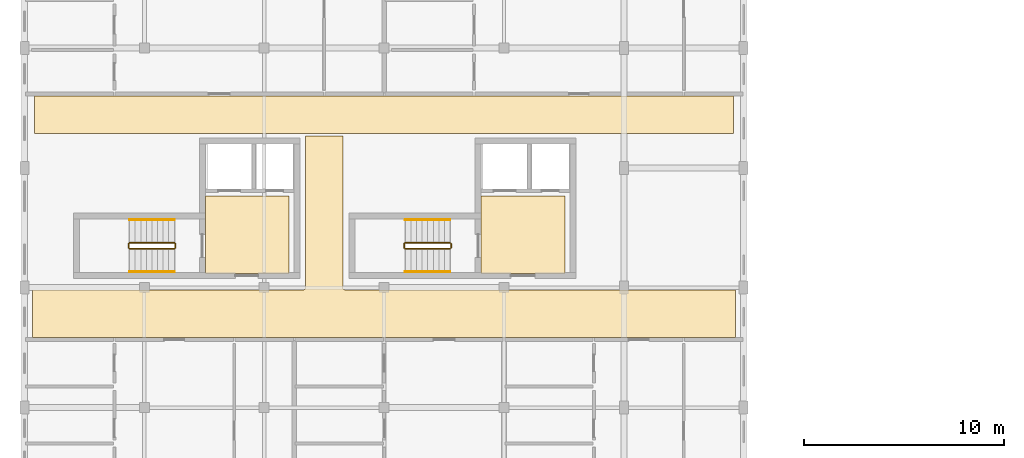
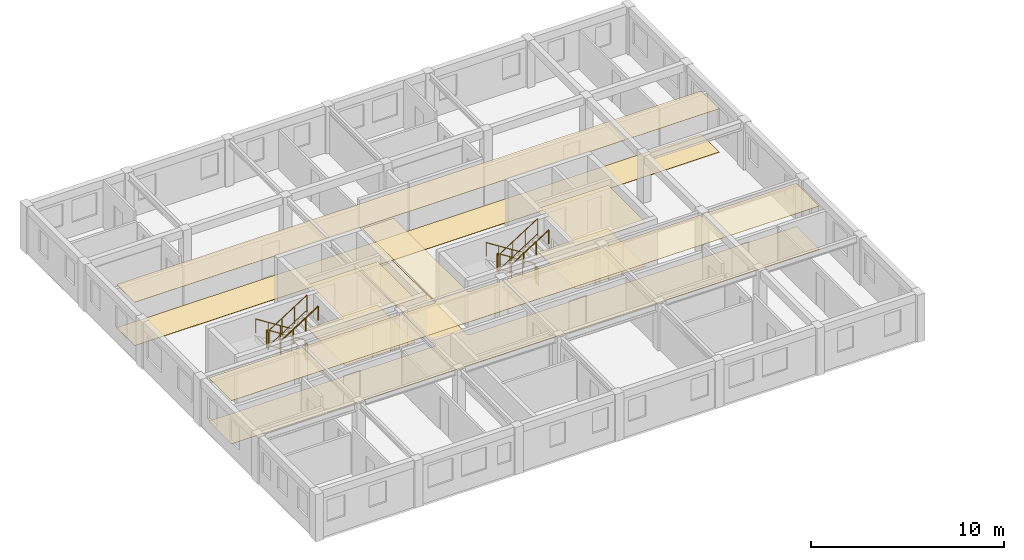
# One storey, part 15 of 17: 12 railings, 8 coverings.
"""IFC4 building model written with IfcOpenShell, lengths in metres."""

import ifcopenshell
import ifcopenshell.guid

model = None  # the IFC model being written
_history = None  # IfcOwnerHistory: only IFC2X3 demands one
_inside = {}  # id of a spatial element -> (the spatial element, [elements in it])
_under = {}  # id of a project, library or spatial element -> (it, [spatial elements below it])
_declared = {}  # id of a project -> (the project, [libraries it declares])
_typed = {}  # id of a type object -> (the type object, [elements of that type])
_made_of = {}  # id of a material, layer set ... -> (it, [elements and type objects made of it])


def new_model(schema):
    """Start an empty IFC model of exactly this schema.

    Asked for "IFC4X3", IfcOpenShell would pick the latest addendum, in which some entities
    have other attributes; the version numbers below select the first issue.
    IFC2X3 requires an IfcOwnerHistory on every rooted entity: one is made here for all.
    """
    global model, _history
    if schema == "IFC4X3":
        model = ifcopenshell.file(schema_version=(4, 3, 0, 0))
    else:
        model = ifcopenshell.file(schema=schema)
    _inside.clear()
    _under.clear()
    _declared.clear()
    _typed.clear()
    _made_of.clear()
    _history = None
    if model.schema == "IFC2X3":
        org = make("IfcOrganization", Name="unknown")
        user = make(
            "IfcPersonAndOrganization",
            ThePerson=make("IfcPerson", FamilyName="unknown"),
            TheOrganization=org,
        )
        app = make(
            "IfcApplication",
            ApplicationDeveloper=org,
            Version="unknown",
            ApplicationFullName="unknown",
            ApplicationIdentifier="unknown",
        )
        _history = make(
            "IfcOwnerHistory",
            OwningUser=user,
            OwningApplication=app,
            ChangeAction="ADDED",
            CreationDate=0,
        )
    return model


def make(cls, **values):
    """One entity of the class cls with the attributes given. An attribute that is None is left unset."""
    return model.create_entity(
        cls, **{name: value for name, value in values.items() if value is not None}
    )


def rooted(cls, **values):
    """An entity with a GlobalId (a new one), such as an element, a storey or a relation."""
    return make(cls, GlobalId=ifcopenshell.guid.new(), OwnerHistory=_history, **values)


def si_unit(unit_type, name, prefix=None):
    """IfcSIUnit, for example si_unit("LENGTHUNIT", "METRE", prefix="MILLI")."""
    return make("IfcSIUnit", UnitType=unit_type, Prefix=prefix, Name=name)


def assignment(units):
    """IfcUnitAssignment: the units of a project."""
    return None if units is None else make("IfcUnitAssignment", Units=units)


def point(xyz):
    """IfcCartesianPoint."""
    return None if xyz is None else make("IfcCartesianPoint", Coordinates=xyz)


def direction(xyz):
    """IfcDirection."""
    return None if xyz is None else make("IfcDirection", DirectionRatios=xyz)


def frame(location, z_axis=None, x_axis=None):
    """IfcAxis2Placement3D, a coordinate frame: its origin and axes. An axis left out is left unset."""
    return make(
        "IfcAxis2Placement3D",
        Location=point(location),
        Axis=direction(z_axis),
        RefDirection=direction(x_axis),
    )


def frame_2d(location, x_axis=None):
    """IfcAxis2Placement2D, a coordinate frame in the plane: its origin and x axis."""
    return make(
        "IfcAxis2Placement2D", Location=point(location), RefDirection=direction(x_axis)
    )


def origin():
    """The frame at (0, 0, 0) with its axes left unset."""
    return frame((0.0, 0.0, 0.0))


def origin_2d():
    """The frame at (0, 0) in the plane with its x axis left unset."""
    return frame_2d((0.0, 0.0))


def place(relative_to, where):
    """IfcLocalPlacement: puts the frame where relative to a parent placement (None: the world)."""
    return make(
        "IfcLocalPlacement", PlacementRelTo=relative_to, RelativePlacement=where
    )


def context(
    kind, dimensions, precision=None, world=None, true_north=None, identifier=None
):
    """IfcGeometricRepresentationContext, for example the 3D "Model" context."""
    return make(
        "IfcGeometricRepresentationContext",
        ContextIdentifier=identifier,
        ContextType=kind,
        CoordinateSpaceDimension=dimensions,
        Precision=precision,
        WorldCoordinateSystem=world,
        TrueNorth=true_north,
    )


def subcontext(parent, identifier, kind, view, scale=None):
    """IfcGeometricRepresentationSubContext, for example "Body" below "Model"."""
    return make(
        "IfcGeometricRepresentationSubContext",
        ContextIdentifier=identifier,
        ContextType=kind,
        ParentContext=parent,
        TargetScale=scale,
        TargetView=view,
    )


def project(units=None, contexts=None):
    """IfcProject with its units and contexts."""
    return rooted(
        "IfcProject",
        Name="project",
        RepresentationContexts=contexts,
        UnitsInContext=assignment(units),
    )


def spatial(cls, under=None, at=None, **own):
    """A site, building, storey or space (cls), placed at a placement, below another one or the project."""
    s = rooted(cls, ObjectPlacement=at, **own)
    if under is not None:
        _under.setdefault(under.id(), (under, []))[1].append(s)
    return s


def polyline(points):
    """IfcPolyline through the points."""
    return make("IfcPolyline", Points=[point(p) for p in points])


def profile(cls, at=None, kind="AREA", **sizes):
    """A parametric profile (cls). Its sizes go by their IFC names, for example OverallWidth=200.0."""
    return make(cls, ProfileType=kind, Position=at, **sizes)


def circle(**sizes):
    """IfcCircleProfileDef."""
    return profile("IfcCircleProfileDef", **sizes)


def outline(outer, holes=None, kind="AREA"):
    """IfcArbitraryClosedProfileDef: a profile drawn as a closed curve; with holes, ...WithVoids."""
    if holes is None:
        return make("IfcArbitraryClosedProfileDef", ProfileType=kind, OuterCurve=outer)
    return make(
        "IfcArbitraryProfileDefWithVoids",
        ProfileType=kind,
        OuterCurve=outer,
        InnerCurves=holes,
    )


def extrude(swept, where, along, depth):
    """IfcExtrudedAreaSolid: the profile swept, set in the frame where, extruded along a direction by depth."""
    return make(
        "IfcExtrudedAreaSolid",
        SweptArea=swept,
        Position=where,
        ExtrudedDirection=direction(along),
        Depth=depth,
    )


def shape(context_of_items, identifier, shape_type, items):
    """IfcShapeRepresentation: the items that make up one representation, for example the "Body"."""
    return make(
        "IfcShapeRepresentation",
        ContextOfItems=context_of_items,
        RepresentationIdentifier=identifier,
        RepresentationType=shape_type,
        Items=items,
    )


def material(Name=None, Category=None):
    """IfcMaterial."""
    return make("IfcMaterial", Name=Name, Category=Category)


def layer(
    of_material, thickness, ventilated=None, Name=None, Category=None, Priority=None
):
    """IfcMaterialLayer: one layer of a wall or slab, of a material (None: an air gap)."""
    return make(
        "IfcMaterialLayer",
        Material=of_material,
        LayerThickness=thickness,
        IsVentilated=ventilated,
        Name=Name,
        Category=Category,
        Priority=Priority,
    )


def layer_set(layers, Name=None):
    """IfcMaterialLayerSet."""
    return make("IfcMaterialLayerSet", MaterialLayers=layers, LayerSetName=Name)


def made_of(thing, what):
    """Note that an element or type object is made of a material, layer set ...; save() writes the relation."""
    if what is not None:
        _made_of.setdefault(what.id(), (what, []))[1].append(thing)
    return thing


def type_object(cls, material=None, **own):
    """A type object (cls), such as IfcWallType, which elements share."""
    return made_of(rooted(cls, **own), material)


def element(
    cls,
    number,
    at=None,
    inside=None,
    cuts=None,
    type_object=None,
    material=None,
    context=None,
    identifier="Body",
    shape_type=None,
    held_by="IfcProductDefinitionShape",
    body=None,
    shapes=None,
    **own,
):
    """One element of the class cls, such as IfcWall. Its Tag is "e" and its number.

    at: its placement. inside: the storey or other place that contains it. cuts: it is an
    opening in that element (IfcRelVoidsElement). A single representation is given by context,
    identifier, shape_type and body (its items); several are given by shapes. held_by: the class
    of the entity that holds the representations. save() writes the other relations.
    """
    e = rooted(cls, Tag="e%d" % number, ObjectPlacement=at, **own)
    if body is not None:
        shapes = [shape(context, identifier, shape_type, body)]
    if shapes is not None:
        e.Representation = make(held_by, Representations=shapes)
    if inside is not None:
        _inside.setdefault(inside.id(), (inside, []))[1].append(e)
    if cuts is not None:
        rooted(
            "IfcRelVoidsElement", RelatingBuildingElement=cuts, RelatedOpeningElement=e
        )
    if type_object is not None:
        _typed.setdefault(type_object.id(), (type_object, []))[1].append(e)
    return made_of(e, material)


def aggregate(whole, parts):
    """IfcRelAggregates: a whole, such as a stair, and the parts it consists of."""
    return rooted("IfcRelAggregates", RelatingObject=whole, RelatedObjects=parts)


def save(model, path):
    """Write the relations noted so far, then the file.

    IfcRelAggregates (storeys below a building ...), IfcRelContainedInSpatialStructure (elements
    in a storey), IfcRelDefinesByType, IfcRelAssociatesMaterial and IfcRelDeclares: one each for
    every whole, place, type object, material and project.
    """
    for whole, parts in _under.values():
        aggregate(whole, parts)
    for where, things in _inside.values():
        rooted(
            "IfcRelContainedInSpatialStructure",
            RelatedElements=things,
            RelatingStructure=where,
        )
    for kind, things in _typed.values():
        rooted("IfcRelDefinesByType", RelatedObjects=things, RelatingType=kind)
    for what, things in _made_of.values():
        rooted("IfcRelAssociatesMaterial", RelatedObjects=things, RelatingMaterial=what)
    for by, libraries in _declared.values():
        rooted("IfcRelDeclares", RelatingContext=by, RelatedDefinitions=libraries)
    model.write(path)


model = new_model("IFC4")

# Units and contexts
model_context = context("Model", 3, precision=1e-05, world=origin(), true_north=direction((0.0, 1.0)))
body_context = subcontext(model_context, "Body", "Model", "MODEL_VIEW")
ifc_project = project(units=[si_unit("LENGTHUNIT", "METRE"), si_unit("AREAUNIT", "SQUARE_METRE"), si_unit("VOLUMEUNIT", "CUBIC_METRE"), si_unit("PLANEANGLEUNIT", "RADIAN"), si_unit("MASSUNIT", "GRAM", prefix="KILO"), si_unit("POWERUNIT", "WATT"), si_unit("THERMODYNAMICTEMPERATUREUNIT", "KELVIN")], contexts=[model_context])

# Site, building, storey
site_placement = place(None, origin())
site = spatial("IfcSite", under=ifc_project, at=site_placement, CompositionType="ELEMENT")
building_placement = place(site_placement, origin())
building = spatial("IfcBuilding", under=site, at=building_placement, Name="Ruvembo Vaulted Housing Court", CompositionType="ELEMENT")
storey_placement = place(building_placement, frame((0.0, 0.0, 30.10009765625)))
storey = spatial("IfcBuildingStorey", under=building, at=storey_placement, Name="L09", CompositionType="ELEMENT", Elevation=30.10009765625)

# Coverings
ifc_material_1 = material(Name="Perforated Mineral-Fibre Acoustic Tile", Category="gypsum")
ifc_layer_1 = layer(ifc_material_1, 0.02001953125, Name="Perforated Mineral-Fibre Acoustic Tile")
ifc_layer_set_1 = layer_set([ifc_layer_1], Name="Perforated Mineral-Fibre Acoustic Tile")
covering_type_1 = type_object("IfcCoveringType", Name="COV-CEIL-ACOUST", PredefinedType="CEILING", material=ifc_layer_set_1)
covering_1_placement = place(storey_placement, frame((0.0, 0.0, 2.75)))
element("IfcCovering", 1, at=covering_1_placement, inside=storey, type_object=covering_type_1, Name="Firefighting Lift Lobby A1 Ceiling", PredefinedType="CEILING", context=body_context, shape_type="SweptSolid", body=[
    extrude(outline(polyline([(13.25, 22.60009765625), (9.050048828125, 22.60009765625), (9.050048828125, 18.699951171875), (13.25, 18.699951171875), (13.25, 22.60009765625)])), origin(), (0.0, 0.0, 1.0), 0.02001953125),
])
covering_2_placement = place(storey_placement, frame((0.0, 0.0, 2.75)))
element("IfcCovering", 2, at=covering_2_placement, inside=storey, type_object=covering_type_1, Name="Firefighting Lift Lobby A2 Ceiling", PredefinedType="CEILING", context=body_context, shape_type="SweptSolid", body=[
    extrude(outline(polyline([(27.050048828125, 22.60009765625), (22.85009765625, 22.60009765625), (22.85009765625, 18.699951171875), (27.050048828125, 18.699951171875), (27.050048828125, 22.60009765625)])), origin(), (0.0, 0.0, 1.0), 0.02001953125),
])
covering_3_placement = place(storey_placement, frame((0.0, 0.0, 2.739990234375)))
element("IfcCovering", 3, at=covering_3_placement, inside=storey, type_object=covering_type_1, Name="Block A L09 Corridor Ceiling", PredefinedType="CEILING", context=body_context, shape_type="SweptSolid", body=[
    extrude(outline(polyline([(35.590087890625, 15.510009765625), (35.590087890625, 17.889892578125), (16.050048828125, 17.889892578125), (16.039306640625, 17.890380859375), (16.028564453125, 17.89208984375), (16.01806640625, 17.894775390625), (16.0078125, 17.8984375), (15.998046875, 17.903076171875), (15.989013671875, 17.908447265625), (15.980224609375, 17.9150390625), (15.97216796875, 17.922119140625), (15.965087890625, 17.93017578125), (15.95849609375, 17.93896484375), (15.952880859375, 17.947998046875), (15.948486328125, 17.9580078125), (15.944580078125, 17.968017578125), (15.942138671875, 17.978515625), (15.9404296875, 17.9892578125), (15.93994140625, 18.0), (15.93994140625, 25.590087890625), (14.06005859375, 25.590087890625), (14.06005859375, 18.0), (14.0595703125, 17.9892578125), (14.057861328125, 17.978515625), (14.055419921875, 17.968017578125), (14.051513671875, 17.9580078125), (14.047119140625, 17.947998046875), (14.04150390625, 17.93896484375), (14.034912109375, 17.93017578125), (14.02783203125, 17.922119140625), (14.019775390625, 17.9150390625), (14.010986328125, 17.908447265625), (14.001953125, 17.903076171875), (13.9921875, 17.8984375), (13.98193359375, 17.894775390625), (13.971435546875, 17.89208984375), (13.960693359375, 17.890380859375), (13.949951171875, 17.889892578125), (0.409912109375, 17.889892578125), (0.409912109375, 15.510009765625), (35.590087890625, 15.510009765625)])), origin(), (0.0, 0.0, 1.0), 0.02001953125),
])
covering_4_placement = place(storey_placement, frame((0.0, 0.0, 2.739990234375)))
element("IfcCovering", 4, at=covering_4_placement, inside=storey, type_object=covering_type_1, Name="Block A L09 North Sub-Corridor Ceiling", PredefinedType="CEILING", context=body_context, shape_type="SweptSolid", body=[
    extrude(outline(polyline([(0.510009765625, 25.7099609375), (35.489990234375, 25.7099609375), (35.489990234375, 27.590087890625), (0.510009765625, 27.590087890625), (0.510009765625, 25.7099609375)])), origin(), (0.0, 0.0, 1.0), 0.02001953125),
])
ifc_material_2 = material(Name="Polished Cement-Aggregate Terrazzo", Category="stone")
ifc_layer_2 = layer(ifc_material_2, 0.02197265625, Name="Polished Cement-Aggregate Terrazzo")
ifc_layer_set_2 = layer_set([ifc_layer_2], Name="Polished Cement-Aggregate Terrazzo")
covering_type_2 = type_object("IfcCoveringType", Name="COV-FLR-CERAMIC", PredefinedType="FLOORING", material=ifc_layer_set_2)
covering_5_placement = place(storey_placement, origin())
element("IfcCovering", 5, at=covering_5_placement, inside=storey, type_object=covering_type_2, Name="Firefighting Lift Lobby A1 Flooring", PredefinedType="FLOORING", context=body_context, shape_type="SweptSolid", body=[
    extrude(outline(polyline([(13.25, 22.60009765625), (9.050048828125, 22.60009765625), (9.050048828125, 18.699951171875), (13.25, 18.699951171875), (13.25, 22.60009765625)])), origin(), (0.0, 0.0, 1.0), 0.02197265625),
])
covering_6_placement = place(storey_placement, origin())
element("IfcCovering", 6, at=covering_6_placement, inside=storey, type_object=covering_type_2, Name="Firefighting Lift Lobby A2 Flooring", PredefinedType="FLOORING", context=body_context, shape_type="SweptSolid", body=[
    extrude(outline(polyline([(27.050048828125, 22.60009765625), (22.85009765625, 22.60009765625), (22.85009765625, 18.699951171875), (27.050048828125, 18.699951171875), (27.050048828125, 22.60009765625)])), origin(), (0.0, 0.0, 1.0), 0.02197265625),
])
covering_7_placement = place(storey_placement, origin())
element("IfcCovering", 7, at=covering_7_placement, inside=storey, type_object=covering_type_2, Name="Block A L09 Corridor Flooring", PredefinedType="FLOORING", context=body_context, shape_type="SweptSolid", body=[
    extrude(outline(polyline([(35.590087890625, 15.510009765625), (35.590087890625, 17.889892578125), (16.050048828125, 17.889892578125), (16.039306640625, 17.890380859375), (16.028564453125, 17.89208984375), (16.01806640625, 17.894775390625), (16.0078125, 17.8984375), (15.998046875, 17.903076171875), (15.989013671875, 17.908447265625), (15.980224609375, 17.9150390625), (15.97216796875, 17.922119140625), (15.965087890625, 17.93017578125), (15.95849609375, 17.93896484375), (15.952880859375, 17.947998046875), (15.948486328125, 17.9580078125), (15.944580078125, 17.968017578125), (15.942138671875, 17.978515625), (15.9404296875, 17.9892578125), (15.93994140625, 18.0), (15.93994140625, 25.590087890625), (14.06005859375, 25.590087890625), (14.06005859375, 18.0), (14.0595703125, 17.9892578125), (14.057861328125, 17.978515625), (14.055419921875, 17.968017578125), (14.051513671875, 17.9580078125), (14.047119140625, 17.947998046875), (14.04150390625, 17.93896484375), (14.034912109375, 17.93017578125), (14.02783203125, 17.922119140625), (14.019775390625, 17.9150390625), (14.010986328125, 17.908447265625), (14.001953125, 17.903076171875), (13.9921875, 17.8984375), (13.98193359375, 17.894775390625), (13.971435546875, 17.89208984375), (13.960693359375, 17.890380859375), (13.949951171875, 17.889892578125), (0.409912109375, 17.889892578125), (0.409912109375, 15.510009765625), (35.590087890625, 15.510009765625)])), origin(), (0.0, 0.0, 1.0), 0.02197265625),
])
covering_8_placement = place(storey_placement, origin())
element("IfcCovering", 8, at=covering_8_placement, inside=storey, type_object=covering_type_2, Name="Block A L09 North Sub-Corridor Flooring", PredefinedType="FLOORING", context=body_context, shape_type="SweptSolid", body=[
    extrude(outline(polyline([(0.510009765625, 25.7099609375), (35.489990234375, 25.7099609375), (35.489990234375, 27.590087890625), (0.510009765625, 27.590087890625), (0.510009765625, 25.7099609375)])), origin(), (0.0, 0.0, 1.0), 0.02197265625),
])

# Railings
ifc_material_3 = material(Name="Painted Galvanised Steel S275", Category="steel")
ifc_layer_3 = layer(ifc_material_3, 0.06005859375, Name="Painted Galvanised Steel S275")
ifc_layer_set_3 = layer_set([ifc_layer_3], Name="Painted Galvanised Steel S275")
railing_type_1 = type_object("IfcRailingType", Name="RL-STAIR-GR1100", PredefinedType="GUARDRAIL", material=ifc_layer_set_3)
railing_1_placement = place(storey_placement, frame((7.5, 20.25, 0.177734375)))
element("IfcRailing", 9, at=railing_1_placement, inside=storey, type_object=railing_type_1, Name="L09 ST-A1 stair guard 1", PredefinedType="GUARDRAIL", context=body_context, shape_type="SweptSolid", body=[
    extrude(circle(Radius=0.02392578125, at=origin_2d()), frame((0.0, 0.0, 1.076171875), z_axis=(-0.8442293374, 0.0, 0.53598211339), x_axis=(0.0, -1.0, 0.0)), (0.0, 0.0, 1.0), 2.6533203125),
    extrude(circle(Radius=0.01806640625, at=origin_2d()), frame((0.0, 0.0, 0.1201171875), z_axis=(-0.8442293374, 0.0, 0.53598211339), x_axis=(0.0, -1.0, 0.0)), (0.0, 0.0, 1.0), 2.6533203125),
    extrude(circle(Radius=0.02099609375, at=origin_2d()), origin(), (0.0, 0.0, 1.0), 1.052001953125),
    extrude(circle(Radius=0.02099609375, at=origin_2d()), frame((-0.74658203125, 0.0, 0.47412109375)), (0.0, 0.0, 1.0), 1.052001953125),
    extrude(circle(Radius=0.02099609375, at=origin_2d()), frame((-1.493408203125, 0.0, 0.947998046875)), (0.0, 0.0, 1.0), 1.052001953125),
    extrude(circle(Radius=0.02099609375, at=origin_2d()), frame((-2.239990234375, 0.0, 1.422119140625)), (0.0, 0.0, 1.0), 1.052001953125),
])
railing_2_placement = place(storey_placement, frame((5.2099609375, 20.199951171875, 1.599853515625)))
element("IfcRailing", 10, at=railing_2_placement, inside=storey, type_object=railing_type_1, Name="L09 ST-A1 stair guard 2", PredefinedType="GUARDRAIL", context=body_context, shape_type="SweptSolid", body=[
    extrude(circle(Radius=0.02392578125, at=origin_2d()), frame((0.0, 0.0, 1.076171875), z_axis=(0.0, -1.0, 0.0), x_axis=(1.0, 0.0, 0.0)), (0.0, 0.0, 1.0), 0.199951171875),
    extrude(circle(Radius=0.01806640625, at=origin_2d()), frame((0.0, 0.0, 0.1201171875), z_axis=(0.0, -1.0, 0.0), x_axis=(1.0, 0.0, 0.0)), (0.0, 0.0, 1.0), 0.199951171875),
    extrude(circle(Radius=0.02099609375, at=origin_2d()), origin(), (0.0, 0.0, 1.0), 1.052001953125),
    extrude(circle(Radius=0.02099609375, at=origin_2d()), frame((0.0, -0.199951171875, 0.0)), (0.0, 0.0, 1.0), 1.052001953125),
])
railing_3_placement = place(storey_placement, frame((5.260009765625, 19.949951171875, 1.777587890625)))
element("IfcRailing", 11, at=railing_3_placement, inside=storey, type_object=railing_type_1, Name="L09 ST-A1 stair guard 3", PredefinedType="GUARDRAIL", context=body_context, shape_type="SweptSolid", body=[
    extrude(circle(Radius=0.02392578125, at=origin_2d()), frame((0.0, 0.0, 1.076171875), z_axis=(0.84418770128, 0.0, 0.536047689118), x_axis=(0.0, 1.0, 0.0)), (0.0, 0.0, 1.0), 2.6533203125),
    extrude(circle(Radius=0.01806640625, at=origin_2d()), frame((0.0, 0.0, 0.1201171875), z_axis=(0.84418770128, 0.0, 0.536047689118), x_axis=(0.0, 1.0, 0.0)), (0.0, 0.0, 1.0), 2.6533203125),
    extrude(circle(Radius=0.02099609375, at=origin_2d()), origin(), (0.0, 0.0, 1.0), 1.052001953125),
    extrude(circle(Radius=0.02099609375, at=origin_2d()), frame((0.74658203125, 0.0, 0.47412109375)), (0.0, 0.0, 1.0), 1.052001953125),
    extrude(circle(Radius=0.02099609375, at=origin_2d()), frame((1.493408203125, 0.0, 0.9482421875)), (0.0, 0.0, 1.0), 1.052001953125),
    extrude(circle(Radius=0.02099609375, at=origin_2d()), frame((2.239990234375, 0.0, 1.42236328125)), (0.0, 0.0, 1.0), 1.052001953125),
])
railing_4_placement = place(storey_placement, frame((7.550048828125, 20.199951171875, 0.0)))
element("IfcRailing", 12, at=railing_4_placement, inside=storey, type_object=railing_type_1, Name="L09 ST-A1 stair guard 4", PredefinedType="GUARDRAIL", context=body_context, shape_type="SweptSolid", body=[
    extrude(circle(Radius=0.02392578125, at=origin_2d()), frame((0.0, 0.0, 1.076171875), z_axis=(0.0, -1.0, 0.0), x_axis=(1.0, 0.0, 0.0)), (0.0, 0.0, 1.0), 0.199951171875),
    extrude(circle(Radius=0.01806640625, at=origin_2d()), frame((0.0, 0.0, 0.1201171875), z_axis=(0.0, -1.0, 0.0), x_axis=(1.0, 0.0, 0.0)), (0.0, 0.0, 1.0), 0.199951171875),
    extrude(circle(Radius=0.02099609375, at=origin_2d()), origin(), (0.0, 0.0, 1.0), 1.052001953125),
    extrude(circle(Radius=0.02099609375, at=origin_2d()), frame((0.0, -0.199951171875, 0.0)), (0.0, 0.0, 1.0), 1.052001953125),
])
railing_5_placement = place(storey_placement, frame((21.300048828125, 20.25, 0.177734375)))
element("IfcRailing", 13, at=railing_5_placement, inside=storey, type_object=railing_type_1, Name="L09 ST-A2 stair guard 1", PredefinedType="GUARDRAIL", context=body_context, shape_type="SweptSolid", body=[
    extrude(circle(Radius=0.02392578125, at=origin_2d()), frame((0.0, 0.0, 1.076171875), z_axis=(-0.8442293374, 0.0, 0.53598211339), x_axis=(0.0, -1.0, 0.0)), (0.0, 0.0, 1.0), 2.6533203125),
    extrude(circle(Radius=0.01806640625, at=origin_2d()), frame((0.0, 0.0, 0.1201171875), z_axis=(-0.8442293374, 0.0, 0.53598211339), x_axis=(0.0, -1.0, 0.0)), (0.0, 0.0, 1.0), 2.6533203125),
    extrude(circle(Radius=0.02099609375, at=origin_2d()), origin(), (0.0, 0.0, 1.0), 1.052001953125),
    extrude(circle(Radius=0.02099609375, at=origin_2d()), frame((-0.74658203125, 0.0, 0.47412109375)), (0.0, 0.0, 1.0), 1.052001953125),
    extrude(circle(Radius=0.02099609375, at=origin_2d()), frame((-1.493408203125, 0.0, 0.947998046875)), (0.0, 0.0, 1.0), 1.052001953125),
    extrude(circle(Radius=0.02099609375, at=origin_2d()), frame((-2.239990234375, 0.0, 1.422119140625)), (0.0, 0.0, 1.0), 1.052001953125),
])
railing_6_placement = place(storey_placement, frame((19.010009765625, 20.199951171875, 1.599853515625)))
element("IfcRailing", 14, at=railing_6_placement, inside=storey, type_object=railing_type_1, Name="L09 ST-A2 stair guard 2", PredefinedType="GUARDRAIL", context=body_context, shape_type="SweptSolid", body=[
    extrude(circle(Radius=0.02392578125, at=origin_2d()), frame((0.0, 0.0, 1.076171875), z_axis=(0.0, -1.0, 0.0), x_axis=(1.0, 0.0, 0.0)), (0.0, 0.0, 1.0), 0.199951171875),
    extrude(circle(Radius=0.01806640625, at=origin_2d()), frame((0.0, 0.0, 0.1201171875), z_axis=(0.0, -1.0, 0.0), x_axis=(1.0, 0.0, 0.0)), (0.0, 0.0, 1.0), 0.199951171875),
    extrude(circle(Radius=0.02099609375, at=origin_2d()), origin(), (0.0, 0.0, 1.0), 1.052001953125),
    extrude(circle(Radius=0.02099609375, at=origin_2d()), frame((0.0, -0.199951171875, 0.0)), (0.0, 0.0, 1.0), 1.052001953125),
])
railing_7_placement = place(storey_placement, frame((19.06005859375, 19.949951171875, 1.777587890625)))
element("IfcRailing", 15, at=railing_7_placement, inside=storey, type_object=railing_type_1, Name="L09 ST-A2 stair guard 3", PredefinedType="GUARDRAIL", context=body_context, shape_type="SweptSolid", body=[
    extrude(circle(Radius=0.02392578125, at=origin_2d()), frame((0.0, 0.0, 1.076171875), z_axis=(0.84418770128, 0.0, 0.536047689118), x_axis=(0.0, 1.0, 0.0)), (0.0, 0.0, 1.0), 2.6533203125),
    extrude(circle(Radius=0.01806640625, at=origin_2d()), frame((0.0, 0.0, 0.1201171875), z_axis=(0.84418770128, 0.0, 0.536047689118), x_axis=(0.0, 1.0, 0.0)), (0.0, 0.0, 1.0), 2.6533203125),
    extrude(circle(Radius=0.02099609375, at=origin_2d()), origin(), (0.0, 0.0, 1.0), 1.052001953125),
    extrude(circle(Radius=0.02099609375, at=origin_2d()), frame((0.74658203125, 0.0, 0.47412109375)), (0.0, 0.0, 1.0), 1.052001953125),
    extrude(circle(Radius=0.02099609375, at=origin_2d()), frame((1.493408203125, 0.0, 0.9482421875)), (0.0, 0.0, 1.0), 1.052001953125),
    extrude(circle(Radius=0.02099609375, at=origin_2d()), frame((2.239990234375, 0.0, 1.42236328125)), (0.0, 0.0, 1.0), 1.052001953125),
])
railing_8_placement = place(storey_placement, frame((21.35009765625, 20.199951171875, 0.0)))
element("IfcRailing", 16, at=railing_8_placement, inside=storey, type_object=railing_type_1, Name="L09 ST-A2 stair guard 4", PredefinedType="GUARDRAIL", context=body_context, shape_type="SweptSolid", body=[
    extrude(circle(Radius=0.02392578125, at=origin_2d()), frame((0.0, 0.0, 1.076171875), z_axis=(0.0, -1.0, 0.0), x_axis=(1.0, 0.0, 0.0)), (0.0, 0.0, 1.0), 0.199951171875),
    extrude(circle(Radius=0.01806640625, at=origin_2d()), frame((0.0, 0.0, 0.1201171875), z_axis=(0.0, -1.0, 0.0), x_axis=(1.0, 0.0, 0.0)), (0.0, 0.0, 1.0), 0.199951171875),
    extrude(circle(Radius=0.02099609375, at=origin_2d()), origin(), (0.0, 0.0, 1.0), 1.052001953125),
    extrude(circle(Radius=0.02099609375, at=origin_2d()), frame((0.0, -0.199951171875, 0.0)), (0.0, 0.0, 1.0), 1.052001953125),
])
ifc_material_4 = material(Name="Brushed Stainless Steel 304", Category="steel")
ifc_layer_4 = layer(ifc_material_4, 0.050048828125, Name="Brushed Stainless Steel 304")
ifc_layer_set_4 = layer_set([ifc_layer_4], Name="Brushed Stainless Steel 304")
railing_type_2 = type_object("IfcRailingType", Name="RL-STAIR-HR920", PredefinedType="HANDRAIL", material=ifc_layer_set_4)
railing_9_placement = place(storey_placement, frame((7.5, 21.39990234375, 0.359130859375)))
element("IfcRailing", 17, at=railing_9_placement, inside=storey, type_object=railing_type_2, Name="L09 ST-A1 stair handrail 1", PredefinedType="HANDRAIL", context=body_context, shape_type="SweptSolid", body=[
    extrude(circle(Radius=0.02392578125, at=origin_2d()), frame((0.0, 0.0, 0.8759765625), z_axis=(-0.84418770128, 0.0, 0.536047689118), x_axis=(0.0, -1.0, 0.0)), (0.0, 0.0, 1.0), 2.6533203125),
    extrude(circle(Radius=0.02099609375, at=origin_2d()), origin(), (0.0, 0.0, 1.0), 0.851806640625),
    extrude(circle(Radius=0.02099609375, at=origin_2d()), frame((-0.74658203125, 0.0, 0.47412109375)), (0.0, 0.0, 1.0), 0.851806640625),
    extrude(circle(Radius=0.02099609375, at=origin_2d()), frame((-1.493408203125, 0.0, 0.9482421875)), (0.0, 0.0, 1.0), 0.851806640625),
    extrude(circle(Radius=0.02099609375, at=origin_2d()), frame((-2.239990234375, 0.0, 1.42236328125)), (0.0, 0.0, 1.0), 0.851806640625),
])
railing_10_placement = place(storey_placement, frame((5.260009765625, 18.800048828125, 1.959228515625)))
element("IfcRailing", 18, at=railing_10_placement, inside=storey, type_object=railing_type_2, Name="L09 ST-A1 stair handrail 2", PredefinedType="HANDRAIL", context=body_context, shape_type="SweptSolid", body=[
    extrude(circle(Radius=0.02392578125, at=origin_2d()), frame((0.0, 0.0, 0.8759765625), z_axis=(0.8442293374, 0.0, 0.53598211339), x_axis=(0.0, 1.0, 0.0)), (0.0, 0.0, 1.0), 2.6533203125),
    extrude(circle(Radius=0.02099609375, at=origin_2d()), origin(), (0.0, 0.0, 1.0), 0.851806640625),
    extrude(circle(Radius=0.02099609375, at=origin_2d()), frame((0.74658203125, 0.0, 0.47412109375)), (0.0, 0.0, 1.0), 0.851806640625),
    extrude(circle(Radius=0.02099609375, at=origin_2d()), frame((1.493408203125, 0.0, 0.947998046875)), (0.0, 0.0, 1.0), 0.851806640625),
    extrude(circle(Radius=0.02099609375, at=origin_2d()), frame((2.239990234375, 0.0, 1.422119140625)), (0.0, 0.0, 1.0), 0.851806640625),
])
railing_11_placement = place(storey_placement, frame((21.300048828125, 21.39990234375, 0.359130859375)))
element("IfcRailing", 19, at=railing_11_placement, inside=storey, type_object=railing_type_2, Name="L09 ST-A2 stair handrail 1", PredefinedType="HANDRAIL", context=body_context, shape_type="SweptSolid", body=[
    extrude(circle(Radius=0.02392578125, at=origin_2d()), frame((0.0, 0.0, 0.8759765625), z_axis=(-0.84418770128, 0.0, 0.536047689118), x_axis=(0.0, -1.0, 0.0)), (0.0, 0.0, 1.0), 2.6533203125),
    extrude(circle(Radius=0.02099609375, at=origin_2d()), origin(), (0.0, 0.0, 1.0), 0.851806640625),
    extrude(circle(Radius=0.02099609375, at=origin_2d()), frame((-0.74658203125, 0.0, 0.47412109375)), (0.0, 0.0, 1.0), 0.851806640625),
    extrude(circle(Radius=0.02099609375, at=origin_2d()), frame((-1.493408203125, 0.0, 0.9482421875)), (0.0, 0.0, 1.0), 0.851806640625),
    extrude(circle(Radius=0.02099609375, at=origin_2d()), frame((-2.239990234375, 0.0, 1.42236328125)), (0.0, 0.0, 1.0), 0.851806640625),
])
railing_12_placement = place(storey_placement, frame((19.06005859375, 18.800048828125, 1.959228515625)))
element("IfcRailing", 20, at=railing_12_placement, inside=storey, type_object=railing_type_2, Name="L09 ST-A2 stair handrail 2", PredefinedType="HANDRAIL", context=body_context, shape_type="SweptSolid", body=[
    extrude(circle(Radius=0.02392578125, at=origin_2d()), frame((0.0, 0.0, 0.8759765625), z_axis=(0.8442293374, 0.0, 0.53598211339), x_axis=(0.0, 1.0, 0.0)), (0.0, 0.0, 1.0), 2.6533203125),
    extrude(circle(Radius=0.02099609375, at=origin_2d()), origin(), (0.0, 0.0, 1.0), 0.851806640625),
    extrude(circle(Radius=0.02099609375, at=origin_2d()), frame((0.74658203125, 0.0, 0.47412109375)), (0.0, 0.0, 1.0), 0.851806640625),
    extrude(circle(Radius=0.02099609375, at=origin_2d()), frame((1.493408203125, 0.0, 0.947998046875)), (0.0, 0.0, 1.0), 0.851806640625),
    extrude(circle(Radius=0.02099609375, at=origin_2d()), frame((2.239990234375, 0.0, 1.422119140625)), (0.0, 0.0, 1.0), 0.851806640625),
])

save(model, "model.ifc")
